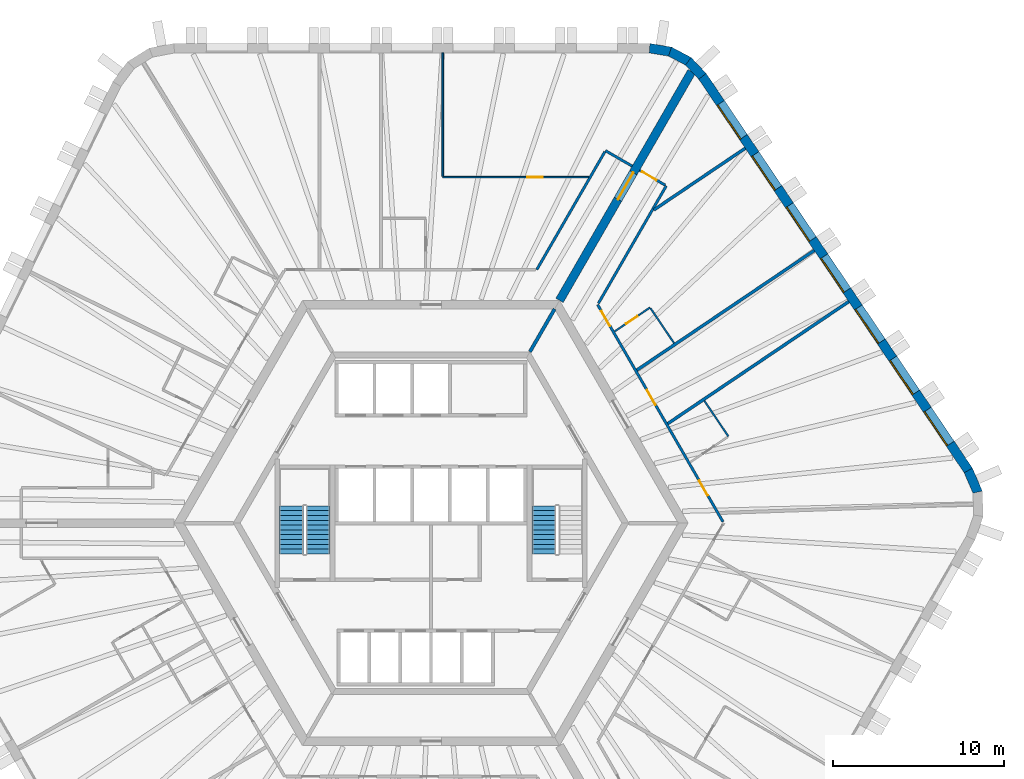
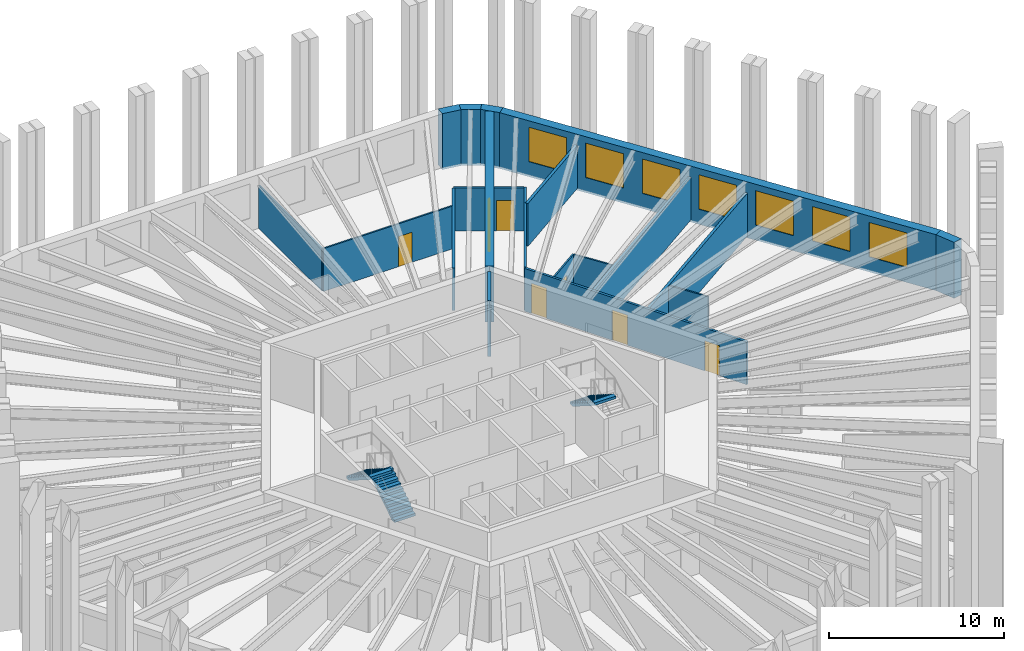
# One storey, part 8 of 10: 20 walls, 7 doors, 7 windows, 3 stair flights, 14 openings, 2 elements without a shape of their own.
"""IFC4 building model written with IfcOpenShell, lengths in metres."""

from ifc_helpers import new_model, si_unit, direction, frame, frame_2d, origin, place, context, subcontext, project, spatial, polyline, rectangle, outline, extrude, material, layer, layer_set, type_object, element, fill, aggregate, save


model = new_model("IFC4")

# Units and contexts
model_context = context("Model", 3, precision=1e-05, world=origin(), true_north=direction((0.0, 1.0)))
body_context = subcontext(model_context, "Body", "Model", "MODEL_VIEW")
ifc_project = project(units=[si_unit("LENGTHUNIT", "METRE"), si_unit("AREAUNIT", "SQUARE_METRE"), si_unit("VOLUMEUNIT", "CUBIC_METRE"), si_unit("PLANEANGLEUNIT", "RADIAN"), si_unit("MASSUNIT", "GRAM", prefix="KILO")], contexts=[model_context])

# Site, building, storey
site_placement = place(None, origin())
site = spatial("IfcSite", under=ifc_project, at=site_placement, CompositionType="ELEMENT")
building_placement = place(site_placement, origin())
building = spatial("IfcBuilding", under=site, at=building_placement, Name="Tarnside Tower", CompositionType="ELEMENT")
storey_placement = place(building_placement, frame((0.0, 0.0, 226.800048828125)))
storey = spatial("IfcBuildingStorey", under=building, at=storey_placement, Name="L54", CompositionType="ELEMENT", Elevation=226.800048828125)

# Wall
ifc_material_1 = material(Name="Gypsum board partition on steel studs", Category="steel")
ifc_layer_1 = layer(ifc_material_1, 0.10009765625)
ifc_layer_set_1 = layer_set([ifc_layer_1], Name="Bathroom wall 100")
wall_type_1 = type_object("IfcWallType", Name="Bathroom wall 100", PredefinedType="PARTITIONING", material=ifc_layer_set_1)
wall_1_placement = place(storey_placement, frame((15.9609375, 7.1376953125, 0.0), z_axis=(0.0, 0.0, 1.0), x_axis=(0.559158770347, -0.829060594615, 0.0)))
element("IfcWall", 1, at=wall_1_placement, inside=storey, type_object=wall_type_1, Name="Bathroom wall 18099", PredefinedType="PARTITIONING", context=body_context, shape_type="SweptSolid", body=[
    extrude(rectangle(XDim=2.51025390625, YDim=0.10009765625, at=frame_2d((1.255126953125, 0.0))), origin(), (0.0, 0.0, 1.0), 2.98779296875),
])

# Wall, opening, door
wall_2_placement = place(storey_placement, frame((10.717041015625, 11.1875, 0.0), z_axis=(0.0, 0.0, 1.0), x_axis=(0.829016292589, 0.559224451024, 0.0)))
wall_2 = element("IfcWall", 2, at=wall_2_placement, inside=storey, type_object=wall_type_1, Name="Bathroom wall 18105", PredefinedType="PARTITIONING", context=body_context, shape_type="SweptSolid", body=[
    extrude(rectangle(XDim=2.49853515625, YDim=0.10009765625, at=frame_2d((1.249267578125, 0.0))), origin(), (0.0, 0.0, 1.0), 2.98779296875),
])
opening_1_placement = place(wall_2_placement, frame((0.798583984375, 0.0, 0.0)))
opening_1 = element("IfcOpeningElement", 3, at=opening_1_placement, cuts=wall_2, Name="Opening D-B1", PredefinedType="OPENING", context=body_context, shape_type="SweptSolid", body=[
    extrude(rectangle(XDim=0.800048828125, YDim=2.10009765625, at=frame_2d((0.39990234375, 1.050048828125))), frame((0.0, 0.06005859375, 0.0), z_axis=(0.0, -1.0, 0.0), x_axis=(1.0, 0.0, 0.0)), (0.0, 0.0, 1.0), 0.1201171875),
])
ifc_material_2 = material(Name="Timber door leaf", Category="wood")
door_type_1 = type_object("IfcDoorType", Name="Bathroom door 800", OperationType="NOTDEFINED", PredefinedType="DOOR", material=ifc_material_2)
door_1_placement = place(opening_1_placement, origin())
door_1 = element("IfcDoor", 4, at=door_1_placement, inside=storey, type_object=door_type_1, Name="Bathroom door 18034", OperationType="SINGLE_SWING_RIGHT", OverallHeight=2.10009765625, OverallWidth=0.800048828125, PredefinedType="DOOR", context=body_context, shape_type="SweptSolid", body=[
    extrude(rectangle(XDim=0.800048828125, YDim=2.10009765625, at=frame_2d((0.39990234375, 1.050048828125))), frame((0.0, 0.02490234375, 0.0), z_axis=(0.0, -1.0, 0.0), x_axis=(1.0, 0.0, 0.0)), (0.0, 0.0, 1.0), 0.050048828125),
])
fill(opening_1, door_1)

# Wall
wall_3_placement = place(storey_placement, frame((12.81640625, 12.543212890625, 0.0), z_axis=(0.0, 0.0, 1.0), x_axis=(0.559181331227, -0.829045378015, 0.0)))
element("IfcWall", 5, at=wall_3_placement, inside=storey, type_object=wall_type_1, Name="Bathroom wall 18106", PredefinedType="PARTITIONING", context=body_context, shape_type="SweptSolid", body=[
    extrude(rectangle(XDim=2.459716796875, YDim=0.10009765625, at=frame_2d((1.22998046875, 0.0))), origin(), (0.0, 0.0, 1.0), 2.98779296875),
])

# Wall, opening, door
ifc_material_3 = material(Name="Concrete C70/85", Category="concrete")
ifc_layer_2 = layer(ifc_material_3, 0.5)
ifc_layer_set_2 = layer_set([ifc_layer_2], Name="Core wall Z2 500 C70/85")
wall_type_2 = type_object("IfcWallType", Name="Core wall Z2 500 C70/85", PredefinedType="SHEAR", material=ifc_layer_set_2)
wall_4_placement = place(storey_placement, frame((7.505615234375, 13.0, -0.150146484375), z_axis=(0.0, 0.0, 1.0), x_axis=(0.499988271576, 0.866032175087, 0.0)))
wall_4 = element("IfcWall", 6, at=wall_4_placement, inside=storey, type_object=wall_type_2, Name="L54 spine wall 1", PredefinedType="SHEAR", context=body_context, shape_type="SweptSolid", body=[
    extrude(rectangle(XDim=15.423583984375, YDim=0.5, at=frame_2d((7.7119140625, 0.0))), origin(), (0.0, 0.0, 1.0), 3.900146484375),
])
opening_2_placement = place(wall_4_placement, frame((6.811767578125, 0.0, 0.14990234375)))
opening_2 = element("IfcOpeningElement", 7, at=opening_2_placement, cuts=wall_4, Name="Opening CD-SPN", PredefinedType="OPENING", context=body_context, shape_type="SweptSolid", body=[
    extrude(rectangle(XDim=1.800048828125, YDim=2.39990234375, at=frame_2d((0.89990234375, 1.199951171875))), frame((0.0, 0.260009765625, 0.0), z_axis=(0.0, -1.0, 0.0), x_axis=(1.0, 0.0, 0.0)), (0.0, 0.0, 1.0), 0.52001953125),
])
ifc_material_4 = material(Name="Steel fire door", Category="steel")
door_type_2 = type_object("IfcDoorType", Name="Spine passage double door FD60 1800x2400", OperationType="NOTDEFINED", PredefinedType="DOOR", material=ifc_material_4)
door_2_placement = place(opening_2_placement, origin())
door_2 = element("IfcDoor", 8, at=door_2_placement, inside=storey, type_object=door_type_2, Name="L54 spine passage door 1", OperationType="DOUBLE_DOOR_SINGLE_SWING", OverallHeight=2.39990234375, OverallWidth=1.800048828125, PredefinedType="DOOR", context=body_context, shape_type="SweptSolid", body=[
    extrude(rectangle(XDim=1.800048828125, YDim=2.39990234375, at=frame_2d((0.89990234375, 1.199951171875))), frame((0.0, 0.02490234375, 0.0), z_axis=(0.0, -1.0, 0.0), x_axis=(1.0, 0.0, 0.0)), (0.0, 0.0, 1.0), 0.050048828125),
])
fill(opening_2, door_2)

# Walls
ifc_layer_3 = layer(ifc_material_1, 0.14990234375)
ifc_layer_set_3 = layer_set([ifc_layer_3], Name="Corridor wall 150 EI 60")
wall_type_3 = type_object("IfcWallType", Name="Corridor wall 150 EI 60", PredefinedType="PARTITIONING", material=ifc_layer_set_3)
wall_5_placement = place(storey_placement, frame((10.148681640625, 21.677978515625, 0.0), z_axis=(0.0, 0.0, 1.0), x_axis=(-0.499997422768, -0.866026891745, 0.0)))
element("IfcWall", 9, at=wall_5_placement, inside=storey, type_object=wall_type_3, Name="Corridor wall 18001", PredefinedType="PARTITIONING", context=body_context, shape_type="SweptSolid", body=[
    extrude(rectangle(XDim=7.94189453125, YDim=0.14990234375, at=frame_2d((3.970947265625, 0.0))), origin(), (0.0, 0.0, 1.0), 2.98779296875),
])
wall_6_placement = place(storey_placement, frame((11.744873046875, 20.8427734375, 0.0), z_axis=(0.0, 0.0, 1.0), x_axis=(-0.865989075817, 0.500062916607, 0.0)))
element("IfcWall", 10, at=wall_6_placement, inside=storey, type_object=wall_type_3, Name="Corridor wall 18004", PredefinedType="PARTITIONING", context=body_context, shape_type="SweptSolid", body=[
    extrude(rectangle(XDim=1.800048828125, YDim=0.14990234375, at=frame_2d((0.89990234375, 0.0))), origin(), (0.0, 0.0, 1.0), 2.98779296875),
])

# Wall, openings, doors
wall_7_placement = place(storey_placement, frame((17.04638671875, 0.074951171875, 0.0), z_axis=(0.0, 0.0, 1.0), x_axis=(-0.499996322767, 0.866027526826, 0.0)))
wall_7 = element("IfcWall", 11, at=wall_7_placement, inside=storey, type_object=wall_type_3, Name="Corridor wall 18042", PredefinedType="PARTITIONING", context=body_context, shape_type="SweptSolid", body=[
    extrude(rectangle(XDim=14.6357421875, YDim=0.14990234375, at=frame_2d((7.31787109375, 0.0))), origin(), (0.0, 0.0, 1.0), 2.98779296875),
])
opening_3_placement = place(wall_7_placement, frame((1.781494140625, 0.0, 0.0)))
opening_3 = element("IfcOpeningElement", 12, at=opening_3_placement, cuts=wall_7, Name="Opening D-E1", PredefinedType="OPENING", context=body_context, shape_type="SweptSolid", body=[
    extrude(rectangle(XDim=1.0, YDim=2.10009765625, at=frame_2d((0.5, 1.050048828125))), frame((0.0, 0.0849609375, 0.0), z_axis=(0.0, -1.0, 0.0), x_axis=(1.0, 0.0, 0.0)), (0.0, 0.0, 1.0), 0.169921875),
])
opening_4_placement = place(wall_7_placement, frame((7.872314453125, 0.0, 0.0)))
opening_4 = element("IfcOpeningElement", 13, at=opening_4_placement, cuts=wall_7, Name="Opening D-E1", PredefinedType="OPENING", context=body_context, shape_type="SweptSolid", body=[
    extrude(rectangle(XDim=1.0, YDim=2.10009765625, at=frame_2d((0.5, 1.050048828125))), frame((0.0, 0.0849609375, 0.0), z_axis=(0.0, -1.0, 0.0), x_axis=(1.0, 0.0, 0.0)), (0.0, 0.0, 1.0), 0.169921875),
])
opening_5_placement = place(wall_7_placement, frame((13.203125, 0.0, 0.0)))
opening_5 = element("IfcOpeningElement", 14, at=opening_5_placement, cuts=wall_7, Name="Opening D-E1", PredefinedType="OPENING", context=body_context, shape_type="SweptSolid", body=[
    extrude(rectangle(XDim=1.0, YDim=2.10009765625, at=frame_2d((0.5, 1.050048828125))), frame((0.0, 0.0849609375, 0.0), z_axis=(0.0, -1.0, 0.0), x_axis=(1.0, 0.0, 0.0)), (0.0, 0.0, 1.0), 0.169921875),
])
door_type_3 = type_object("IfcDoorType", Name="Unit entrance door 1000 FD30S", OperationType="NOTDEFINED", PredefinedType="DOOR", material=ifc_material_2)
door_3_placement = place(opening_3_placement, origin())
door_3 = element("IfcDoor", 15, at=door_3_placement, inside=storey, type_object=door_type_3, Name="Unit door 18030", OperationType="SINGLE_SWING_LEFT", OverallHeight=2.10009765625, OverallWidth=1.0, PredefinedType="DOOR", context=body_context, shape_type="SweptSolid", body=[
    extrude(rectangle(XDim=1.0, YDim=2.10009765625, at=frame_2d((0.5, 1.050048828125))), frame((0.0, 0.02490234375, 0.0), z_axis=(0.0, -1.0, 0.0), x_axis=(1.0, 0.0, 0.0)), (0.0, 0.0, 1.0), 0.050048828125),
])
fill(opening_3, door_3)
door_4_placement = place(opening_4_placement, origin())
door_4 = element("IfcDoor", 16, at=door_4_placement, inside=storey, type_object=door_type_3, Name="Unit door 18032", OperationType="SINGLE_SWING_RIGHT", OverallHeight=2.10009765625, OverallWidth=1.0, PredefinedType="DOOR", context=body_context, shape_type="SweptSolid", body=[
    extrude(rectangle(XDim=1.0, YDim=2.10009765625, at=frame_2d((0.5, 1.050048828125))), frame((0.0, 0.02490234375, 0.0), z_axis=(0.0, -1.0, 0.0), x_axis=(1.0, 0.0, 0.0)), (0.0, 0.0, 1.0), 0.050048828125),
])
fill(opening_4, door_4)
door_5_placement = place(opening_5_placement, origin())
door_5 = element("IfcDoor", 17, at=door_5_placement, inside=storey, type_object=door_type_3, Name="Unit door 18033", OperationType="SINGLE_SWING_LEFT", OverallHeight=2.10009765625, OverallWidth=1.0, PredefinedType="DOOR", context=body_context, shape_type="SweptSolid", body=[
    extrude(rectangle(XDim=1.0, YDim=2.10009765625, at=frame_2d((0.5, 1.050048828125))), frame((0.0, 0.02490234375, 0.0), z_axis=(0.0, -1.0, 0.0), x_axis=(1.0, 0.0, 0.0)), (0.0, 0.0, 1.0), 0.050048828125),
])
fill(opening_5, door_5)

# Wall
wall_8_placement = place(storey_placement, frame((9.771728515625, 12.824951171875, 0.0), z_axis=(0.0, 0.0, 1.0), x_axis=(0.499989830942, 0.866031274813, 0.0)))
element("IfcWall", 18, at=wall_8_placement, inside=storey, type_object=wall_type_3, Name="Corridor wall 18047", PredefinedType="PARTITIONING", context=body_context, shape_type="SweptSolid", body=[
    extrude(rectangle(XDim=7.930419921875, YDim=0.14990234375, at=frame_2d((3.96533203125, 0.0))), origin(), (0.0, 0.0, 1.0), 2.98779296875),
])

# Wall, opening, door
wall_9_placement = place(storey_placement, frame((13.671875, 19.73046875, 0.0), z_axis=(0.0, 0.0, 1.0), x_axis=(-0.866074815912, 0.499914405916, 0.0)))
wall_9 = element("IfcWall", 19, at=wall_9_placement, inside=storey, type_object=wall_type_3, Name="Corridor wall 18050", PredefinedType="PARTITIONING", context=body_context, shape_type="SweptSolid", body=[
    extrude(rectangle(XDim=1.724853515625, YDim=0.14990234375, at=frame_2d((0.8623046875, 0.0))), origin(), (0.0, 0.0, 1.0), 2.98779296875),
])
opening_6_placement = place(wall_9_placement, frame((0.574951171875, 0.0, 0.0)))
opening_6 = element("IfcOpeningElement", 20, at=opening_6_placement, cuts=wall_9, Name="Opening D-E1", PredefinedType="OPENING", context=body_context, shape_type="SweptSolid", body=[
    extrude(rectangle(XDim=1.0, YDim=2.10009765625, at=frame_2d((0.5, 1.050048828125))), frame((0.0, 0.0849609375, 0.0), z_axis=(0.0, -1.0, 0.0), x_axis=(1.0, 0.0, 0.0)), (0.0, 0.0, 1.0), 0.169921875),
])
door_6_placement = place(opening_6_placement, origin())
door_6 = element("IfcDoor", 21, at=door_6_placement, inside=storey, type_object=door_type_3, Name="Unit door 18035", OperationType="SINGLE_SWING_LEFT", OverallHeight=2.10009765625, OverallWidth=1.0, PredefinedType="DOOR", context=body_context, shape_type="SweptSolid", body=[
    extrude(rectangle(XDim=1.0, YDim=2.10009765625, at=frame_2d((0.5, 1.050048828125))), frame((0.0, 0.02490234375, 0.0), z_axis=(0.0, -1.0, 0.0), x_axis=(1.0, 0.0, 0.0)), (0.0, 0.0, 1.0), 0.050048828125),
])
fill(opening_6, door_6)

# Walls
ifc_layer_4 = layer(ifc_material_1, 0.179931640625)
ifc_layer_set_4 = layer_set([ifc_layer_4], Name="Demising wall 180 EI 60")
wall_type_4 = type_object("IfcWallType", Name="Demising wall 180 EI 60", PredefinedType="PARTITIONING", material=ifc_layer_set_4)
wall_10_placement = place(storey_placement, frame((24.388671875, 12.9306640625, 0.0), z_axis=(0.0, 0.0, 1.0), x_axis=(-0.829037426209, -0.559193120438, 0.0)))
element("IfcWall", 22, at=wall_10_placement, inside=storey, type_object=wall_type_4, Name="Demising wall 18101", PredefinedType="PARTITIONING", context=body_context, shape_type="SweptSolid", body=[
    extrude(rectangle(XDim=12.742431640625, YDim=0.179931640625, at=frame_2d((6.37109375, 0.0))), origin(), (0.0, 0.0, 1.0), 2.98779296875),
])
wall_11_placement = place(storey_placement, frame((22.375732421875, 15.915283203125, 0.0), z_axis=(0.0, 0.0, 1.0), x_axis=(-0.829037148953, -0.559193531487, 0.0)))
element("IfcWall", 23, at=wall_11_placement, inside=storey, type_object=wall_type_4, Name="Demising wall 18103", PredefinedType="PARTITIONING", context=body_context, shape_type="SweptSolid", body=[
    extrude(rectangle(XDim=12.490966796875, YDim=0.179931640625, at=frame_2d((6.24560546875, 0.0))), origin(), (0.0, 0.0, 1.0), 2.98779296875),
])
wall_12_placement = place(storey_placement, frame((18.349609375, 21.88427734375, 0.0), z_axis=(0.0, 0.0, 1.0), x_axis=(-0.829047205772, -0.559178621374, 0.0)))
element("IfcWall", 24, at=wall_12_placement, inside=storey, type_object=wall_type_4, Name="Demising wall 18107", PredefinedType="PARTITIONING", context=body_context, shape_type="SweptSolid", body=[
    extrude(rectangle(XDim=6.442138671875, YDim=0.179931640625, at=frame_2d((3.22119140625, 0.0))), origin(), (0.0, 0.0, 1.0), 2.98779296875),
])
ifc_material_5 = material(Name="Concrete C40/50", Category="concrete")
ifc_layer_5 = layer(ifc_material_5, 0.199951171875)
ifc_layer_set_5 = layer_set([ifc_layer_5], Name="Lift shaft wall 200 C40/50")
wall_type_5 = type_object("IfcWallType", Name="Lift shaft wall 200 C40/50", PredefinedType="SHEAR", material=ifc_layer_set_5)
wall_13_placement = place(storey_placement, frame((5.7734375, 10.0, -0.150146484375), z_axis=(0.0, 0.0, 1.0), x_axis=(0.499995765644, 0.866027848477, 0.0)))
element("IfcWall", 25, at=wall_13_placement, inside=storey, type_object=wall_type_5, Name="L54 core partition AR60", PredefinedType="SHEAR", context=body_context, shape_type="SweptSolid", body=[
    extrude(rectangle(XDim=2.88671875, YDim=0.199951171875, at=frame_2d((1.443359375, 0.0))), origin(), (0.0, 0.0, 1.0), 3.900146484375),
])

# Wall, opening, door
ifc_layer_6 = layer(ifc_material_1, 0.10009765625)
ifc_layer_set_6 = layer_set([ifc_layer_6], Name="Partition 100")
wall_type_6 = type_object("IfcWallType", Name="Partition 100", PredefinedType="PARTITIONING", material=ifc_layer_set_6)
wall_14_placement = place(storey_placement, frame((9.208740234375, 20.199951171875, 0.0), z_axis=(0.0, 0.0, 1.0), x_axis=(-1.0, 0.0, 0.0)))
wall_14 = element("IfcWall", 26, at=wall_14_placement, inside=storey, type_object=wall_type_6, Name="Partition wall 18053", PredefinedType="PARTITIONING", context=body_context, shape_type="SweptSolid", body=[
    extrude(rectangle(XDim=8.526611328125, YDim=0.10009765625, at=frame_2d((4.26318359375, 0.0))), origin(), (0.0, 0.0, 1.0), 2.98779296875),
])
opening_7_placement = place(wall_14_placement, frame((2.676513671875, 0.0, 0.0)))
opening_7 = element("IfcOpeningElement", 27, at=opening_7_placement, cuts=wall_14, Name="Opening D-I1", PredefinedType="OPENING", context=body_context, shape_type="SweptSolid", body=[
    extrude(rectangle(XDim=0.89990234375, YDim=2.10009765625, at=frame_2d((0.449951171875, 1.050048828125))), frame((0.0, 0.06005859375, 0.0), z_axis=(0.0, -1.0, 0.0), x_axis=(1.0, 0.0, 0.0)), (0.0, 0.0, 1.0), 0.1201171875),
])
door_type_4 = type_object("IfcDoorType", Name="Internal door 900", OperationType="NOTDEFINED", PredefinedType="DOOR", material=ifc_material_2)
door_7_placement = place(opening_7_placement, origin())
door_7 = element("IfcDoor", 28, at=door_7_placement, inside=storey, type_object=door_type_4, Name="Internal door 18003", OperationType="SINGLE_SWING_RIGHT", OverallHeight=2.10009765625, OverallWidth=0.89990234375, PredefinedType="DOOR", context=body_context, shape_type="SweptSolid", body=[
    extrude(rectangle(XDim=0.89990234375, YDim=2.10009765625, at=frame_2d((0.449951171875, 1.050048828125))), frame((0.0, 0.02490234375, 0.0), z_axis=(0.0, -1.0, 0.0), x_axis=(1.0, 0.0, 0.0)), (0.0, 0.0, 1.0), 0.050048828125),
])
fill(opening_7, door_7)

# Walls
wall_15_placement = place(storey_placement, frame((0.68212890625, 20.25, 0.0), z_axis=(0.0, 0.0, 1.0), x_axis=(0.0, 1.0, 0.0)))
element("IfcWall", 29, at=wall_15_placement, inside=storey, type_object=wall_type_6, Name="Partition wall 18054", PredefinedType="PARTITIONING", context=body_context, shape_type="SweptSolid", body=[
    extrude(rectangle(XDim=7.199951171875, YDim=0.10009765625, at=frame_2d((3.60009765625, 0.0))), origin(), (0.0, 0.0, 1.0), 2.98779296875),
])
ifc_material_6 = material(Name="Facing brick", Category="masonry")
ifc_layer_7 = layer(ifc_material_6, 0.10205078125)
ifc_material_7 = material(Name="Concrete C60/75 precast", Category="concrete")
ifc_layer_8 = layer(ifc_material_7, 0.347900390625)
ifc_material_8 = material(Name="Mineral wool insulation")
ifc_layer_9 = layer(ifc_material_8, 0.10009765625)
ifc_layer_set_7 = layer_set([ifc_layer_7, ifc_layer_8, ifc_layer_9], Name="Tube wall 550 brick faced")
wall_type_7 = type_object("IfcWallType", Name="Tube wall 550 brick faced", PredefinedType="SOLIDWALL", material=ifc_layer_set_7)
wall_16_placement = place(storey_placement, frame((31.91748046875, 1.804443359375, -0.150146484375), z_axis=(0.0, 0.0, 1.0), x_axis=(-0.396225741392, 0.918153125496, 0.0)))
element("IfcWall", 30, at=wall_16_placement, inside=storey, type_object=wall_type_7, Name="Tube wall L54 F5 chord 19", PredefinedType="SOLIDWALL", context=body_context, shape_type="SweptSolid", body=[
    extrude(outline(polyline([(-0.0517578125, -0.27490234375), (1.404541015625, -0.27490234375), (1.353271484375, 0.27490234375), (0.0517578125, 0.27490234375), (-0.0517578125, -0.27490234375)])), origin(), (0.0, 0.0, 1.0), 3.900146484375),
])

# Wall, openings, windows
wall_17_placement = place(storey_placement, frame((31.37109375, 3.070556640625, -0.150146484375), z_axis=(0.0, 0.0, 1.0), x_axis=(-0.559189891278, 0.829039604297, 0.0)))
wall_17 = element("IfcWall", 31, at=wall_17_placement, inside=storey, type_object=wall_type_7, Name="Tube wall L54 F6 flush 20", PredefinedType="SOLIDWALL", context=body_context, shape_type="SweptSolid", body=[
    extrude(outline(polyline([(-0.025634765625, -0.27490234375), (27.780517578125, -0.27490234375), (27.735595703125, 0.27490234375), (0.025634765625, 0.27490234375), (-0.025634765625, -0.27490234375)])), origin(), (0.0, 0.0, 1.0), 3.900146484375),
])
opening_8_placement = place(wall_17_placement, frame((1.87890625, 0.0, 1.050048828125)))
opening_8 = element("IfcOpeningElement", 32, at=opening_8_placement, cuts=wall_17, Name="Opening WH", PredefinedType="OPENING", context=body_context, shape_type="SweptSolid", body=[
    extrude(rectangle(XDim=2.39990234375, YDim=2.39990234375, at=frame_2d((1.199951171875, 1.199951171875))), frame((0.0, 0.28515625, 0.0), z_axis=(0.0, -1.0, 0.0), x_axis=(1.0, 0.0, 0.0)), (0.0, 0.0, 1.0), 0.570068359375),
])
opening_9_placement = place(wall_17_placement, frame((5.47900390625, 0.0, 1.050048828125)))
opening_9 = element("IfcOpeningElement", 33, at=opening_9_placement, cuts=wall_17, Name="Opening WH", PredefinedType="OPENING", context=body_context, shape_type="SweptSolid", body=[
    extrude(rectangle(XDim=2.39990234375, YDim=2.39990234375, at=frame_2d((1.199951171875, 1.199951171875))), frame((0.0, 0.28515625, 0.0), z_axis=(0.0, -1.0, 0.0), x_axis=(1.0, 0.0, 0.0)), (0.0, 0.0, 1.0), 0.570068359375),
])
opening_10_placement = place(wall_17_placement, frame((9.078857421875, 0.0, 1.050048828125)))
opening_10 = element("IfcOpeningElement", 34, at=opening_10_placement, cuts=wall_17, Name="Opening WH", PredefinedType="OPENING", context=body_context, shape_type="SweptSolid", body=[
    extrude(rectangle(XDim=2.39990234375, YDim=2.39990234375, at=frame_2d((1.199951171875, 1.199951171875))), frame((0.0, 0.28515625, 0.0), z_axis=(0.0, -1.0, 0.0), x_axis=(1.0, 0.0, 0.0)), (0.0, 0.0, 1.0), 0.570068359375),
])
opening_11_placement = place(wall_17_placement, frame((12.678955078125, 0.0, 1.050048828125)))
opening_11 = element("IfcOpeningElement", 35, at=opening_11_placement, cuts=wall_17, Name="Opening WH", PredefinedType="OPENING", context=body_context, shape_type="SweptSolid", body=[
    extrude(rectangle(XDim=2.39990234375, YDim=2.39990234375, at=frame_2d((1.199951171875, 1.199951171875))), frame((0.0, 0.28515625, 0.0), z_axis=(0.0, -1.0, 0.0), x_axis=(1.0, 0.0, 0.0)), (0.0, 0.0, 1.0), 0.570068359375),
])
opening_12_placement = place(wall_17_placement, frame((16.27880859375, 0.0, 1.050048828125)))
opening_12 = element("IfcOpeningElement", 36, at=opening_12_placement, cuts=wall_17, Name="Opening WH", PredefinedType="OPENING", context=body_context, shape_type="SweptSolid", body=[
    extrude(rectangle(XDim=2.39990234375, YDim=2.39990234375, at=frame_2d((1.199951171875, 1.199951171875))), frame((0.0, 0.28515625, 0.0), z_axis=(0.0, -1.0, 0.0), x_axis=(1.0, 0.0, 0.0)), (0.0, 0.0, 1.0), 0.570068359375),
])
opening_13_placement = place(wall_17_placement, frame((19.87890625, 0.0, 1.050048828125)))
opening_13 = element("IfcOpeningElement", 37, at=opening_13_placement, cuts=wall_17, Name="Opening WH", PredefinedType="OPENING", context=body_context, shape_type="SweptSolid", body=[
    extrude(rectangle(XDim=2.39990234375, YDim=2.39990234375, at=frame_2d((1.199951171875, 1.199951171875))), frame((0.0, 0.28515625, 0.0), z_axis=(0.0, -1.0, 0.0), x_axis=(1.0, 0.0, 0.0)), (0.0, 0.0, 1.0), 0.570068359375),
])
opening_14_placement = place(wall_17_placement, frame((23.47900390625, 0.0, 1.050048828125)))
opening_14 = element("IfcOpeningElement", 38, at=opening_14_placement, cuts=wall_17, Name="Opening WH", PredefinedType="OPENING", context=body_context, shape_type="SweptSolid", body=[
    extrude(rectangle(XDim=2.39990234375, YDim=2.39990234375, at=frame_2d((1.199951171875, 1.199951171875))), frame((0.0, 0.28515625, 0.0), z_axis=(0.0, -1.0, 0.0), x_axis=(1.0, 0.0, 0.0)), (0.0, 0.0, 1.0), 0.570068359375),
])
ifc_material_9 = material(Name="Aluminium-framed double glazing", Category="aluminium")
window_type = type_object("IfcWindowType", Name="Hotel window 2400 x 2400", PartitioningType="DOUBLE_PANEL_VERTICAL", PredefinedType="WINDOW", material=ifc_material_9)
window_1_placement = place(opening_8_placement, frame((0.0, 0.205078125, 0.0)))
window_1 = element("IfcWindow", 39, at=window_1_placement, inside=storey, type_object=window_type, Name="E.WN.L54.F6.00", OverallHeight=2.39990234375, OverallWidth=2.39990234375, PartitioningType="DOUBLE_PANEL_VERTICAL", PredefinedType="WINDOW", context=body_context, shape_type="SweptSolid", body=[
    extrude(rectangle(XDim=2.39990234375, YDim=2.39990234375, at=frame_2d((1.199951171875, 1.199951171875))), frame((0.0, 0.030029296875, 0.0), z_axis=(0.0, -1.0, 0.0), x_axis=(1.0, 0.0, 0.0)), (0.0, 0.0, 1.0), 0.06005859375),
])
fill(opening_8, window_1)
window_2_placement = place(opening_9_placement, frame((0.0, 0.205078125, 0.0)))
window_2 = element("IfcWindow", 40, at=window_2_placement, inside=storey, type_object=window_type, Name="E.WN.L54.F6.01", OverallHeight=2.39990234375, OverallWidth=2.39990234375, PartitioningType="DOUBLE_PANEL_VERTICAL", PredefinedType="WINDOW", context=body_context, shape_type="SweptSolid", body=[
    extrude(rectangle(XDim=2.39990234375, YDim=2.39990234375, at=frame_2d((1.199951171875, 1.199951171875))), frame((0.0, 0.030029296875, 0.0), z_axis=(0.0, -1.0, 0.0), x_axis=(1.0, 0.0, 0.0)), (0.0, 0.0, 1.0), 0.06005859375),
])
fill(opening_9, window_2)
window_3_placement = place(opening_10_placement, frame((0.0, 0.205078125, 0.0)))
window_3 = element("IfcWindow", 41, at=window_3_placement, inside=storey, type_object=window_type, Name="E.WN.L54.F6.02", OverallHeight=2.39990234375, OverallWidth=2.39990234375, PartitioningType="DOUBLE_PANEL_VERTICAL", PredefinedType="WINDOW", context=body_context, shape_type="SweptSolid", body=[
    extrude(rectangle(XDim=2.39990234375, YDim=2.39990234375, at=frame_2d((1.199951171875, 1.199951171875))), frame((0.0, 0.030029296875, 0.0), z_axis=(0.0, -1.0, 0.0), x_axis=(1.0, 0.0, 0.0)), (0.0, 0.0, 1.0), 0.06005859375),
])
fill(opening_10, window_3)
window_4_placement = place(opening_11_placement, frame((0.0, 0.205078125, 0.0)))
window_4 = element("IfcWindow", 42, at=window_4_placement, inside=storey, type_object=window_type, Name="E.WN.L54.F6.03", OverallHeight=2.39990234375, OverallWidth=2.39990234375, PartitioningType="DOUBLE_PANEL_VERTICAL", PredefinedType="WINDOW", context=body_context, shape_type="SweptSolid", body=[
    extrude(rectangle(XDim=2.39990234375, YDim=2.39990234375, at=frame_2d((1.199951171875, 1.199951171875))), frame((0.0, 0.030029296875, 0.0), z_axis=(0.0, -1.0, 0.0), x_axis=(1.0, 0.0, 0.0)), (0.0, 0.0, 1.0), 0.06005859375),
])
fill(opening_11, window_4)
window_5_placement = place(opening_12_placement, frame((0.0, 0.205078125, 0.0)))
window_5 = element("IfcWindow", 43, at=window_5_placement, inside=storey, type_object=window_type, Name="E.WN.L54.F6.04", OverallHeight=2.39990234375, OverallWidth=2.39990234375, PartitioningType="DOUBLE_PANEL_VERTICAL", PredefinedType="WINDOW", context=body_context, shape_type="SweptSolid", body=[
    extrude(rectangle(XDim=2.39990234375, YDim=2.39990234375, at=frame_2d((1.199951171875, 1.199951171875))), frame((0.0, 0.030029296875, 0.0), z_axis=(0.0, -1.0, 0.0), x_axis=(1.0, 0.0, 0.0)), (0.0, 0.0, 1.0), 0.06005859375),
])
fill(opening_12, window_5)
window_6_placement = place(opening_13_placement, frame((0.0, 0.205078125, 0.0)))
window_6 = element("IfcWindow", 44, at=window_6_placement, inside=storey, type_object=window_type, Name="E.WN.L54.F6.05", OverallHeight=2.39990234375, OverallWidth=2.39990234375, PartitioningType="DOUBLE_PANEL_VERTICAL", PredefinedType="WINDOW", context=body_context, shape_type="SweptSolid", body=[
    extrude(rectangle(XDim=2.39990234375, YDim=2.39990234375, at=frame_2d((1.199951171875, 1.199951171875))), frame((0.0, 0.030029296875, 0.0), z_axis=(0.0, -1.0, 0.0), x_axis=(1.0, 0.0, 0.0)), (0.0, 0.0, 1.0), 0.06005859375),
])
fill(opening_13, window_6)
window_7_placement = place(opening_14_placement, frame((0.0, 0.205078125, 0.0)))
window_7 = element("IfcWindow", 45, at=window_7_placement, inside=storey, type_object=window_type, Name="E.WN.L54.F6.06", OverallHeight=2.39990234375, OverallWidth=2.39990234375, PartitioningType="DOUBLE_PANEL_VERTICAL", PredefinedType="WINDOW", context=body_context, shape_type="SweptSolid", body=[
    extrude(rectangle(XDim=2.39990234375, YDim=2.39990234375, at=frame_2d((1.199951171875, 1.199951171875))), frame((0.0, 0.030029296875, 0.0), z_axis=(0.0, -1.0, 0.0), x_axis=(1.0, 0.0, 0.0)), (0.0, 0.0, 1.0), 0.06005859375),
])
fill(opening_14, window_7)

# Walls
wall_18_placement = place(storey_placement, frame((15.84912109375, 26.0830078125, -0.150146484375), z_axis=(0.0, 0.0, 1.0), x_axis=(-0.686196220404, 0.727416488061, 0.0)))
element("IfcWall", 46, at=wall_18_placement, inside=storey, type_object=wall_type_7, Name="Tube wall L54 F6 chord 21", PredefinedType="SOLIDWALL", context=body_context, shape_type="SweptSolid", body=[
    extrude(outline(polyline([(-0.0224609375, -0.27490234375), (1.25341796875, -0.27490234375), (1.1630859375, 0.27490234375), (0.0224609375, 0.27490234375), (-0.0224609375, -0.27490234375)])), origin(), (0.0, 0.0, 1.0), 3.900146484375),
])
wall_19_placement = place(storey_placement, frame((15.02001953125, 26.9619140625, -0.150146484375), z_axis=(0.0, 0.0, 1.0), x_axis=(-0.882950818639, 0.469465495926, 0.0)))
element("IfcWall", 47, at=wall_19_placement, inside=storey, type_object=wall_type_7, Name="Tube wall L54 F6 chord 22", PredefinedType="SOLIDWALL", context=body_context, shape_type="SweptSolid", body=[
    extrude(outline(polyline([(-0.045166015625, -0.27490234375), (1.253173828125, -0.27490234375), (1.162841796875, 0.27490234375), (0.045166015625, 0.27490234375), (-0.045166015625, -0.27490234375)])), origin(), (0.0, 0.0, 1.0), 3.900146484375),
])
wall_20_placement = place(storey_placement, frame((13.953369140625, 27.529052734375, -0.150146484375), z_axis=(0.0, 0.0, 1.0), x_axis=(-0.986751945211, 0.162236243244, 0.0)))
element("IfcWall", 48, at=wall_20_placement, inside=storey, type_object=wall_type_7, Name="Tube wall L54 F6 chord 23", PredefinedType="SOLIDWALL", context=body_context, shape_type="SweptSolid", body=[
    extrude(outline(polyline([(-0.045166015625, -0.27490234375), (1.23095703125, -0.27490234375), (1.18603515625, 0.27490234375), (0.045166015625, 0.27490234375), (-0.045166015625, -0.27490234375)])), origin(), (0.0, 0.0, 1.0), 3.900146484375),
])

# Stair, stair flight
stair_type = type_object("IfcStairType", Name="Exit stair 1400 clear", PredefinedType="HALF_TURN_STAIR", material=ifc_material_5)
stair_1_placement = place(storey_placement, origin())
stair_1 = element("IfcStair", 49, at=stair_1_placement, inside=storey, type_object=stair_type, Name="L54 Exit stair 1", PredefinedType="HALF_TURN_STAIR")
stair_flight_type = type_object("IfcStairFlightType", Name="Exit stair flight 1400", PredefinedType="STRAIGHT", material=ifc_material_5)
stair_flight_1_placement = place(storey_placement, frame((6.60009765625, 1.0, 1.949951171875), z_axis=(0.0, 0.0, 1.0), x_axis=(0.0, -1.0, 0.0)))
stair_flight_1 = element("IfcStairFlight", 50, at=stair_flight_1_placement, type_object=stair_flight_type, Name="ST1 flight 2", NumberOfRisers=11, NumberOfTreads=10, PredefinedType="STRAIGHT", RiserHeight=0.177272727, TreadLength=0.28, context=body_context, shape_type="SweptSolid", body=[
    extrude(outline(polyline([(0.0, 0.0), (0.0, 0.17724609375), (0.280029296875, 0.17724609375), (0.280029296875, 0.3544921875), (0.56005859375, 0.3544921875), (0.56005859375, 0.53173828125), (0.840087890625, 0.53173828125), (0.840087890625, 0.708984375), (1.1201171875, 0.708984375), (1.1201171875, 0.886474609375), (1.39990234375, 0.886474609375), (1.39990234375, 1.063720703125), (1.679931640625, 1.063720703125), (1.679931640625, 1.240966796875), (1.9599609375, 1.240966796875), (1.9599609375, 1.418212890625), (2.239990234375, 1.418212890625), (2.239990234375, 1.595458984375), (2.52001953125, 1.595458984375), (2.52001953125, 1.772705078125), (2.800048828125, 1.772705078125), (2.800048828125, 1.949951171875), (2.800048828125, 1.59521484375), (0.2802734375, 0.0), (0.0, 0.0)])), frame((0.0, 0.699951171875, 0.0), z_axis=(0.0, -1.0, 0.0), x_axis=(1.0, 0.0, 0.0)), (0.0, 0.0, 1.0), 1.39990234375),
])
aggregate(stair_1, [stair_flight_1])

# Stair, stair flights
stair_2_placement = place(storey_placement, origin())
stair_2 = element("IfcStair", 51, at=stair_2_placement, inside=storey, type_object=stair_type, Name="L54 Exit stair 2", PredefinedType="HALF_TURN_STAIR")
stair_flight_2_placement = place(storey_placement, frame((-6.60009765625, -1.800048828125, 0.0), z_axis=(0.0, 0.0, 1.0), x_axis=(0.0, 1.0, 0.0)))
stair_flight_2 = element("IfcStairFlight", 52, at=stair_flight_2_placement, type_object=stair_flight_type, Name="ST2 flight 1", NumberOfRisers=11, NumberOfTreads=10, PredefinedType="STRAIGHT", RiserHeight=0.177272727, TreadLength=0.28, context=body_context, shape_type="SweptSolid", body=[
    extrude(outline(polyline([(0.0, 0.0), (0.0, 0.17724609375), (0.280029296875, 0.17724609375), (0.280029296875, 0.3544921875), (0.56005859375, 0.3544921875), (0.56005859375, 0.53173828125), (0.840087890625, 0.53173828125), (0.840087890625, 0.708984375), (1.1201171875, 0.708984375), (1.1201171875, 0.886474609375), (1.39990234375, 0.886474609375), (1.39990234375, 1.063720703125), (1.679931640625, 1.063720703125), (1.679931640625, 1.240966796875), (1.9599609375, 1.240966796875), (1.9599609375, 1.418212890625), (2.239990234375, 1.418212890625), (2.239990234375, 1.595458984375), (2.52001953125, 1.595458984375), (2.52001953125, 1.772705078125), (2.800048828125, 1.772705078125), (2.800048828125, 1.949951171875), (2.800048828125, 1.59521484375), (0.2802734375, 0.0), (0.0, 0.0)])), frame((0.0, 0.699951171875, 0.0), z_axis=(0.0, -1.0, 0.0), x_axis=(1.0, 0.0, 0.0)), (0.0, 0.0, 1.0), 1.39990234375),
])
stair_flight_3_placement = place(storey_placement, frame((-8.14990234375, 1.0, 1.949951171875), z_axis=(0.0, 0.0, 1.0), x_axis=(0.0, -1.0, 0.0)))
stair_flight_3 = element("IfcStairFlight", 53, at=stair_flight_3_placement, type_object=stair_flight_type, Name="ST2 flight 2", NumberOfRisers=11, NumberOfTreads=10, PredefinedType="STRAIGHT", RiserHeight=0.177272727, TreadLength=0.28, context=body_context, shape_type="SweptSolid", body=[
    extrude(outline(polyline([(0.0, 0.0), (0.0, 0.17724609375), (0.280029296875, 0.17724609375), (0.280029296875, 0.3544921875), (0.56005859375, 0.3544921875), (0.56005859375, 0.53173828125), (0.840087890625, 0.53173828125), (0.840087890625, 0.708984375), (1.1201171875, 0.708984375), (1.1201171875, 0.886474609375), (1.39990234375, 0.886474609375), (1.39990234375, 1.063720703125), (1.679931640625, 1.063720703125), (1.679931640625, 1.240966796875), (1.9599609375, 1.240966796875), (1.9599609375, 1.418212890625), (2.239990234375, 1.418212890625), (2.239990234375, 1.595458984375), (2.52001953125, 1.595458984375), (2.52001953125, 1.772705078125), (2.800048828125, 1.772705078125), (2.800048828125, 1.949951171875), (2.800048828125, 1.59521484375), (0.2802734375, 0.0), (0.0, 0.0)])), frame((0.0, 0.699951171875, 0.0), z_axis=(0.0, -1.0, 0.0), x_axis=(1.0, 0.0, 0.0)), (0.0, 0.0, 1.0), 1.39990234375),
])
aggregate(stair_2, [stair_flight_2, stair_flight_3])

save(model, "model.ifc")
